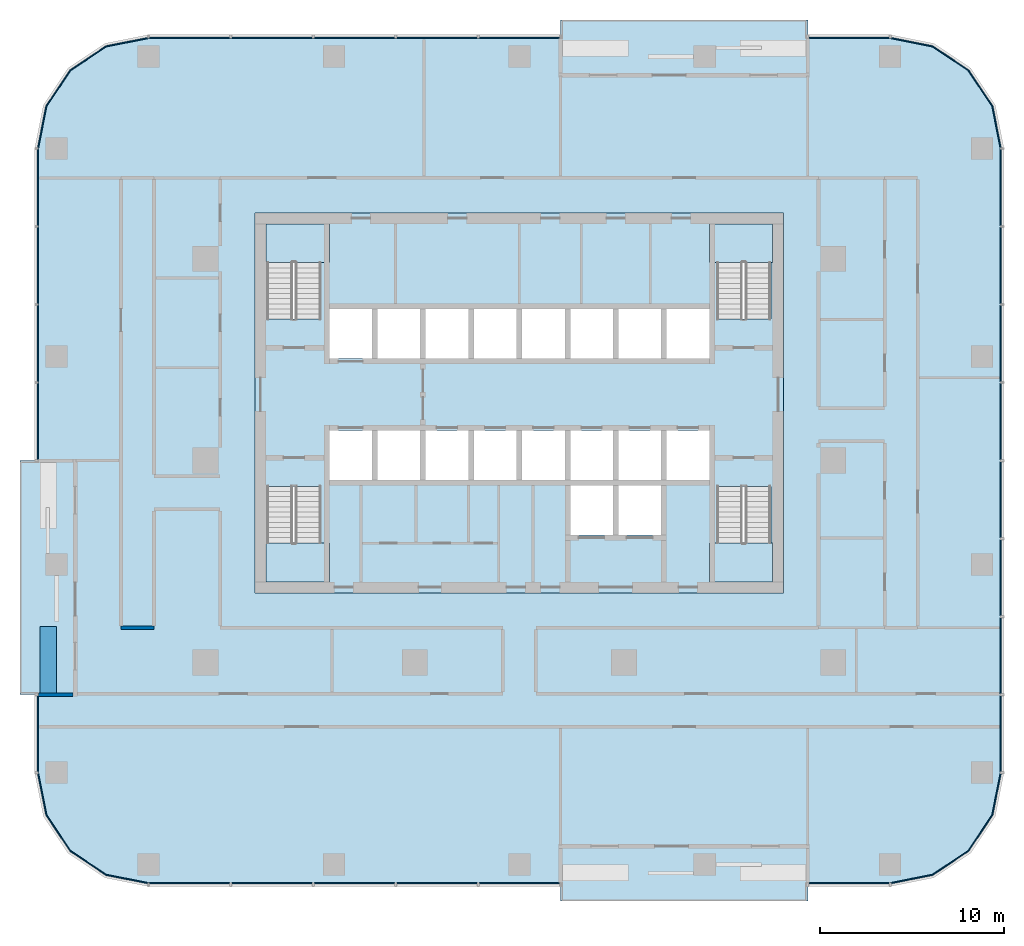
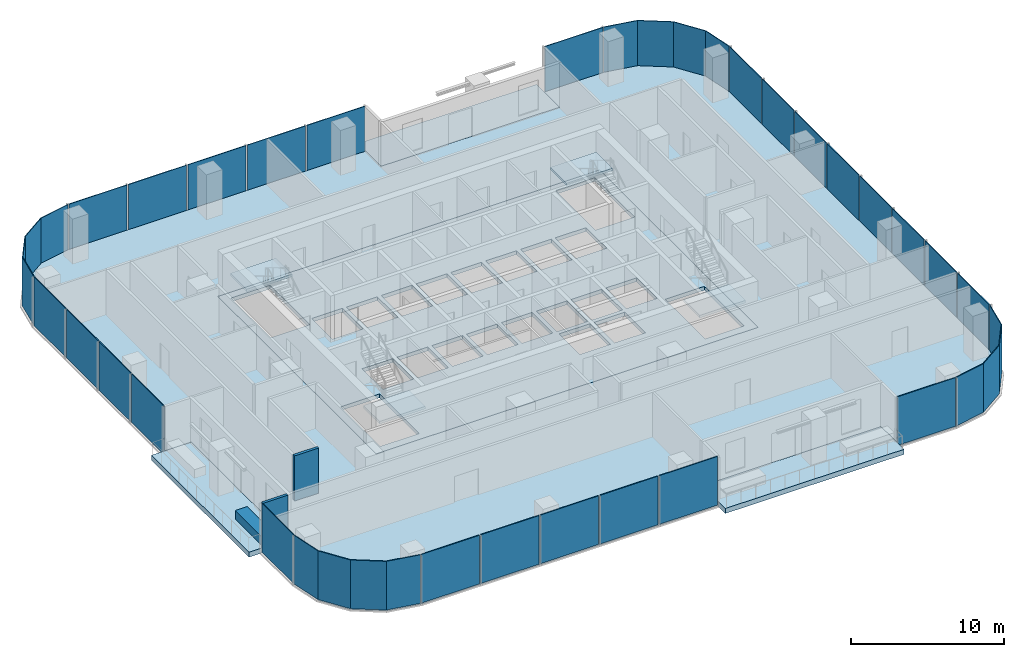
# One storey, part 6 of 14: 29 plates, 9 slabs, 3 walls, 15 elements without a shape of their own.
"""IFC4 building model written with IfcOpenShell, lengths in metres."""

from ifc_helpers import new_model, si_unit, direction, frame, frame_2d, origin, origin_2d, place, context, subcontext, project, spatial, polyline, rectangle, outline, extrude, material, layer, layer_set, type_object, element, aggregate, save


model = new_model("IFC4")

# Units and contexts
model_context = context("Model", 3, precision=1e-05, world=origin(), true_north=direction((0.0, 1.0)))
body_context = subcontext(model_context, "Body", "Model", "MODEL_VIEW")
ifc_project = project(units=[si_unit("LENGTHUNIT", "METRE"), si_unit("AREAUNIT", "SQUARE_METRE"), si_unit("VOLUMEUNIT", "CUBIC_METRE"), si_unit("PLANEANGLEUNIT", "RADIAN"), si_unit("MASSUNIT", "GRAM", prefix="KILO")], contexts=[model_context])

# Site, building, storey
site_placement = place(None, origin())
site = spatial("IfcSite", under=ifc_project, at=site_placement, CompositionType="ELEMENT")
building_placement = place(site_placement, origin())
building = spatial("IfcBuilding", under=site, at=building_placement, Name="Mopane Tessera Tower", CompositionType="ELEMENT")
storey_placement = place(building_placement, frame((0.0, 0.0, 185.0)))
storey = spatial("IfcBuildingStorey", under=building, at=storey_placement, Name="L38", CompositionType="ELEMENT", Elevation=185.0)

# Slab
ifc_material_1 = material(Name="Concrete C40/50", Category="concrete")
ifc_layer_1 = layer(ifc_material_1, 0.300048828125)
ifc_layer_set_1 = layer_set([ifc_layer_1], Name="Concrete C40/50")
slab_type_1 = type_object("IfcSlabType", Name="Core floor slab 300 mm", PredefinedType="FLOOR", material=ifc_layer_set_1)
slab_1_placement = place(storey_placement, frame((0.0, 0.0, -0.300048828125)))
element("IfcSlab", 1, at=slab_1_placement, inside=storey, type_object=slab_type_1, Name="L38 core floor slab", PredefinedType="FLOOR", context=body_context, shape_type="SweptSolid", body=[
    extrude(outline(polyline([(-14.39990234375, -7.199951171875), (14.39990234375, -7.199951171875), (14.39990234375, 13.5), (-14.39990234375, 13.5), (-14.39990234375, -7.199951171875)]), holes=[polyline([(-10.35009765625, -1.050048828125), (-8.02490234375, -1.050048828125), (-8.02490234375, 1.64990234375), (-10.35009765625, 1.64990234375), (-10.35009765625, -1.050048828125)]), polyline([(-7.72509765625, -1.050048828125), (-5.39990234375, -1.050048828125), (-5.39990234375, 1.64990234375), (-7.72509765625, 1.64990234375), (-7.72509765625, -1.050048828125)]), polyline([(-5.10009765625, -1.050048828125), (-2.77490234375, -1.050048828125), (-2.77490234375, 1.64990234375), (-5.10009765625, 1.64990234375), (-5.10009765625, -1.050048828125)]), polyline([(-2.47509765625, -1.050048828125), (-0.14990234375, -1.050048828125), (-0.14990234375, 1.64990234375), (-2.47509765625, 1.64990234375), (-2.47509765625, -1.050048828125)]), polyline([(0.14990234375, -1.050048828125), (2.47509765625, -1.050048828125), (2.47509765625, 1.64990234375), (0.14990234375, 1.64990234375), (0.14990234375, -1.050048828125)]), polyline([(2.77490234375, -1.050048828125), (5.10009765625, -1.050048828125), (5.10009765625, 1.64990234375), (2.77490234375, 1.64990234375), (2.77490234375, -1.050048828125)]), polyline([(5.39990234375, -1.050048828125), (7.72509765625, -1.050048828125), (7.72509765625, 1.64990234375), (5.39990234375, 1.64990234375), (5.39990234375, -1.050048828125)]), polyline([(8.02490234375, -1.050048828125), (10.35009765625, -1.050048828125), (10.35009765625, 1.64990234375), (8.02490234375, 1.64990234375), (8.02490234375, -1.050048828125)]), polyline([(-10.35009765625, 5.550048828125), (-8.02490234375, 5.550048828125), (-8.02490234375, 8.25), (-10.35009765625, 8.25), (-10.35009765625, 5.550048828125)]), polyline([(-7.72509765625, 5.550048828125), (-5.39990234375, 5.550048828125), (-5.39990234375, 8.25), (-7.72509765625, 8.25), (-7.72509765625, 5.550048828125)]), polyline([(-5.10009765625, 5.550048828125), (-2.77490234375, 5.550048828125), (-2.77490234375, 8.25), (-5.10009765625, 8.25), (-5.10009765625, 5.550048828125)]), polyline([(-2.47509765625, 5.550048828125), (-0.14990234375, 5.550048828125), (-0.14990234375, 8.25), (-2.47509765625, 8.25), (-2.47509765625, 5.550048828125)]), polyline([(0.14990234375, 5.550048828125), (2.47509765625, 5.550048828125), (2.47509765625, 8.25), (0.14990234375, 8.25), (0.14990234375, 5.550048828125)]), polyline([(2.77490234375, 5.550048828125), (5.10009765625, 5.550048828125), (5.10009765625, 8.25), (2.77490234375, 8.25), (2.77490234375, 5.550048828125)]), polyline([(5.39990234375, 5.550048828125), (7.72509765625, 5.550048828125), (7.72509765625, 8.25), (5.39990234375, 8.25), (5.39990234375, 5.550048828125)]), polyline([(8.02490234375, 5.550048828125), (10.35009765625, 5.550048828125), (10.35009765625, 8.25), (8.02490234375, 8.25), (8.02490234375, 5.550048828125)]), polyline([(2.77490234375, -4.050048828125), (5.10009765625, -4.050048828125), (5.10009765625, -1.35009765625), (2.77490234375, -1.35009765625), (2.77490234375, -4.050048828125)]), polyline([(5.39990234375, -4.050048828125), (7.72509765625, -4.050048828125), (7.72509765625, -1.35009765625), (5.39990234375, -1.35009765625), (5.39990234375, -4.050048828125)]), polyline([(-13.75, -1.405029296875), (-13.75, -6.60009765625), (-10.800048828125, -6.60009765625), (-10.800048828125, -1.405029296875), (-13.75, -1.405029296875)]), polyline([(-10.800048828125, 7.705078125), (-10.800048828125, 12.89990234375), (-13.75, 12.89990234375), (-13.75, 7.705078125), (-10.800048828125, 7.705078125)]), polyline([(10.75, -1.405029296875), (10.75, -6.60009765625), (13.699951171875, -6.60009765625), (13.699951171875, -1.405029296875), (10.75, -1.405029296875)]), polyline([(13.699951171875, 7.705078125), (13.699951171875, 12.89990234375), (10.75, 12.89990234375), (10.75, 7.705078125), (13.699951171875, 7.705078125)])]), origin(), (0.0, 0.0, 1.0), 0.300048828125),
])

# Stair, slab
ifc_material_2 = material(Name="Concrete C50/60", Category="concrete")
stair_type = type_object("IfcStairType", Name="Escape stair 1400 mm, riser 167 mm", PredefinedType="HALF_TURN_STAIR", material=ifc_material_2)
stair_1_placement = place(storey_placement, origin())
stair_1 = element("IfcStair", 2, at=stair_1_placement, inside=storey, type_object=stair_type, Name="L38 Escape stair south-west", PredefinedType="HALF_TURN_STAIR")
ifc_material_3 = material(Name="Concrete C50/60", Category="concrete")
ifc_layer_2 = layer(ifc_material_3, 0.199951171875)
ifc_layer_set_2 = layer_set([ifc_layer_2], Name="Concrete C50/60")
slab_type_2 = type_object("IfcSlabType", Name="Escape stair landing 200 mm", PredefinedType="LANDING", material=ifc_layer_set_2)
slab_2_placement = place(storey_placement, frame((0.0, 0.0, 1.800048828125)))
slab_2 = element("IfcSlab", 3, at=slab_2_placement, type_object=slab_type_2, Name="ST1 landing 1", PredefinedType="LANDING", context=body_context, shape_type="SweptSolid", body=[
    extrude(outline(polyline([(-13.800048828125, -4.47998046875), (-13.800048828125, -6.60009765625), (-10.35009765625, -6.60009765625), (-10.35009765625, -4.47998046875), (-13.800048828125, -4.47998046875)])), origin(), (0.0, 0.0, 1.0), 0.199951171875),
])
aggregate(stair_1, [slab_2])

stair_2_placement = place(storey_placement, origin())
stair_2 = element("IfcStair", 4, at=stair_2_placement, inside=storey, type_object=stair_type, Name="L38 Escape stair north-west", PredefinedType="HALF_TURN_STAIR")
slab_3_placement = place(storey_placement, frame((0.0, 0.0, 1.800048828125)))
slab_3 = element("IfcSlab", 5, at=slab_3_placement, type_object=slab_type_2, Name="ST2 landing 1", PredefinedType="LANDING", context=body_context, shape_type="SweptSolid", body=[
    extrude(outline(polyline([(-10.35009765625, 10.780029296875), (-10.35009765625, 12.89990234375), (-13.800048828125, 12.89990234375), (-13.800048828125, 10.780029296875), (-10.35009765625, 10.780029296875)])), origin(), (0.0, 0.0, 1.0), 0.199951171875),
])
aggregate(stair_2, [slab_3])

stair_3_placement = place(storey_placement, origin())
stair_3 = element("IfcStair", 6, at=stair_3_placement, inside=storey, type_object=stair_type, Name="L38 Escape stair south-east", PredefinedType="HALF_TURN_STAIR")
slab_4_placement = place(storey_placement, frame((0.0, 0.0, 1.800048828125)))
slab_4 = element("IfcSlab", 7, at=slab_4_placement, type_object=slab_type_2, Name="ST3 landing 1", PredefinedType="LANDING", context=body_context, shape_type="SweptSolid", body=[
    extrude(outline(polyline([(10.35009765625, -4.47998046875), (10.35009765625, -6.60009765625), (13.800048828125, -6.60009765625), (13.800048828125, -4.47998046875), (10.35009765625, -4.47998046875)])), origin(), (0.0, 0.0, 1.0), 0.199951171875),
])
aggregate(stair_3, [slab_4])

stair_4_placement = place(storey_placement, origin())
stair_4 = element("IfcStair", 8, at=stair_4_placement, inside=storey, type_object=stair_type, Name="L38 Escape stair north-east", PredefinedType="HALF_TURN_STAIR")
slab_5_placement = place(storey_placement, frame((0.0, 0.0, 1.800048828125)))
slab_5 = element("IfcSlab", 9, at=slab_5_placement, type_object=slab_type_2, Name="ST4 landing 1", PredefinedType="LANDING", context=body_context, shape_type="SweptSolid", body=[
    extrude(outline(polyline([(13.800048828125, 10.780029296875), (13.800048828125, 12.89990234375), (10.35009765625, 12.89990234375), (10.35009765625, 10.780029296875), (13.800048828125, 10.780029296875)])), origin(), (0.0, 0.0, 1.0), 0.199951171875),
])
aggregate(stair_4, [slab_5])

# Slabs
ifc_material_4 = material(Name="Concrete C40/50", Category="concrete")
ifc_layer_3 = layer(ifc_material_4, 0.39990234375)
ifc_layer_set_3 = layer_set([ifc_layer_3], Name="Concrete C40/50")
slab_type_3 = type_object("IfcSlabType", Name="Planted terrace slab 400 mm", PredefinedType="FLOOR", material=ifc_layer_set_3)
slab_6_placement = place(storey_placement, frame((0.0, 0.0, -0.39990234375)))
element("IfcSlab", 10, at=slab_6_placement, inside=storey, type_object=slab_type_3, Name="Terrace slab N1 L38", PredefinedType="FLOOR", context=body_context, shape_type="SweptSolid", body=[
    extrude(outline(polyline([(-27.199951171875, -12.75), (-24.199951171875, -12.75), (-24.199951171875, 0.0), (-27.199951171875, 0.0), (-27.199951171875, -12.75)])), origin(), (0.0, 0.0, 1.0), 0.39990234375),
])
slab_7_placement = place(storey_placement, frame((0.0, 0.0, -0.39990234375)))
element("IfcSlab", 11, at=slab_7_placement, inside=storey, type_object=slab_type_3, Name="Terrace slab N2 L38", PredefinedType="FLOOR", context=body_context, shape_type="SweptSolid", body=[
    extrude(outline(polyline([(15.711181640625, -24.0), (15.711181640625, -21.0), (2.244384765625, -21.0), (2.244384765625, -24.0), (15.711181640625, -24.0)])), origin(), (0.0, 0.0, 1.0), 0.39990234375),
])
slab_8_placement = place(storey_placement, frame((0.0, 0.0, -0.39990234375)))
element("IfcSlab", 12, at=slab_8_placement, inside=storey, type_object=slab_type_3, Name="Terrace slab N3 L38", PredefinedType="FLOOR", context=body_context, shape_type="SweptSolid", body=[
    extrude(outline(polyline([(2.244384765625, 24.0), (2.244384765625, 21.0), (15.711181640625, 21.0), (15.711181640625, 24.0), (2.244384765625, 24.0)])), origin(), (0.0, 0.0, 1.0), 0.39990234375),
])
ifc_material_5 = material(Name="Concrete C40/50", Category="concrete")
ifc_layer_4 = layer(ifc_material_5, 0.39990234375)
ifc_layer_set_4 = layer_set([ifc_layer_4], Name="Concrete C40/50")
slab_type_4 = type_object("IfcSlabType", Name="Post-tensioned flat plate 400 mm", PredefinedType="FLOOR", material=ifc_layer_set_4)
slab_9_placement = place(storey_placement, frame((0.0, 0.0, -0.39990234375)))
element("IfcSlab", 13, at=slab_9_placement, inside=storey, type_object=slab_type_4, Name="Floor slab L38", PredefinedType="FLOOR", context=body_context, shape_type="SweptSolid", body=[
    extrude(outline(polyline([(-20.199951171875, -23.0), (2.244384765625, -23.0), (2.244384765625, -21.0), (15.711181640625, -21.0), (15.711181640625, -23.0), (20.199951171875, -23.0), (22.49609375, -22.543212890625), (24.442626953125, -21.24267578125), (25.7431640625, -19.296142578125), (26.199951171875, -17.0), (26.199951171875, 17.0), (25.7431640625, 19.296142578125), (24.442626953125, 21.24267578125), (22.49609375, 22.543212890625), (20.199951171875, 23.0), (15.711181640625, 23.0), (15.711181640625, 21.0), (2.244384765625, 21.0), (2.244384765625, 23.0), (-20.199951171875, 23.0), (-22.49609375, 22.543212890625), (-24.442626953125, 21.24267578125), (-25.7431640625, 19.296142578125), (-26.199951171875, 17.0), (-26.199951171875, 0.0), (-24.199951171875, 0.0), (-24.199951171875, -12.75), (-26.199951171875, -12.75), (-26.199951171875, -17.0), (-25.7431640625, -19.296142578125), (-24.442626953125, -21.24267578125), (-22.49609375, -22.543212890625), (-20.199951171875, -23.0)]), holes=[polyline([(14.39990234375, -7.199951171875), (-14.39990234375, -7.199951171875), (-14.39990234375, 13.5), (14.39990234375, 13.5), (14.39990234375, -7.199951171875)])]), origin(), (0.0, 0.0, 1.0), 0.39990234375),
])

# Curtain wall, plates
ifc_material_6 = material(Name="Aluminium frame", Category="aluminium")
curtain_wall_type = type_object("IfcCurtainWallType", Name="Unitised curtain wall", PredefinedType="NOTDEFINED", material=ifc_material_6)
curtain_wall_1_placement = place(storey_placement, origin())
curtain_wall_1 = element("IfcCurtainWall", 14, at=curtain_wall_1_placement, inside=storey, type_object=curtain_wall_type, Name="e:cw:L38:S:0", PredefinedType="NOTDEFINED")
ifc_material_7 = material(Name="Clear laminated glass", Category="glass")
ifc_layer_5 = layer(ifc_material_7, 0.06005859375)
ifc_layer_set_5 = layer_set([ifc_layer_5], Name="Clear laminated glass")
plate_type = type_object("IfcPlateType", Name="Unitised glazed unit", PredefinedType="CURTAIN_PANEL", material=ifc_layer_set_5)
plate_1_placement = place(storey_placement, frame((-17.95556640625, -23.030029296875, -0.280029296875), z_axis=(0.0, 0.0, 1.0), x_axis=(1.0, 0.0, 0.0)))
plate_1 = element("IfcPlate", 15, at=plate_1_placement, type_object=plate_type, Name="e:cw:L38:S:0:pn0", PredefinedType="CURTAIN_PANEL", context=body_context, shape_type="SweptSolid", body=[
    extrude(rectangle(XDim=4.388916015625, YDim=0.06005859375, at=origin_2d()), origin(), (0.0, 0.0, 1.0), 3.8798828125),
])
plate_2_placement = place(storey_placement, frame((-13.466552734375, -23.030029296875, -0.280029296875), z_axis=(0.0, 0.0, 1.0), x_axis=(1.0, 0.0, 0.0)))
plate_2 = element("IfcPlate", 16, at=plate_2_placement, type_object=plate_type, Name="e:cw:L38:S:0:pn1", PredefinedType="CURTAIN_PANEL", context=body_context, shape_type="SweptSolid", body=[
    extrude(rectangle(XDim=4.388916015625, YDim=0.06005859375, at=origin_2d()), origin(), (0.0, 0.0, 1.0), 3.8798828125),
])
plate_3_placement = place(storey_placement, frame((-8.977783203125, -23.030029296875, -0.280029296875), z_axis=(0.0, 0.0, 1.0), x_axis=(1.0, 0.0, 0.0)))
plate_3 = element("IfcPlate", 17, at=plate_3_placement, type_object=plate_type, Name="e:cw:L38:S:0:pn2", PredefinedType="CURTAIN_PANEL", context=body_context, shape_type="SweptSolid", body=[
    extrude(rectangle(XDim=4.388916015625, YDim=0.06005859375, at=origin_2d()), origin(), (0.0, 0.0, 1.0), 3.8798828125),
])
plate_4_placement = place(storey_placement, frame((-4.48876953125, -23.030029296875, -0.280029296875), z_axis=(0.0, 0.0, 1.0), x_axis=(1.0, 0.0, 0.0)))
plate_4 = element("IfcPlate", 18, at=plate_4_placement, type_object=plate_type, Name="e:cw:L38:S:0:pn3", PredefinedType="CURTAIN_PANEL", context=body_context, shape_type="SweptSolid", body=[
    extrude(rectangle(XDim=4.388916015625, YDim=0.06005859375, at=origin_2d()), origin(), (0.0, 0.0, 1.0), 3.8798828125),
])
plate_5_placement = place(storey_placement, frame((0.0, -23.030029296875, -0.280029296875), z_axis=(0.0, 0.0, 1.0), x_axis=(1.0, 0.0, 0.0)))
plate_5 = element("IfcPlate", 19, at=plate_5_placement, type_object=plate_type, Name="e:cw:L38:S:0:pn4", PredefinedType="CURTAIN_PANEL", context=body_context, shape_type="SweptSolid", body=[
    extrude(rectangle(XDim=4.388916015625, YDim=0.06005859375, at=origin_2d()), origin(), (0.0, 0.0, 1.0), 3.8798828125),
])
aggregate(curtain_wall_1, [plate_1, plate_2, plate_3, plate_4, plate_5])

# Curtain wall, plate
curtain_wall_2_placement = place(storey_placement, origin())
curtain_wall_2 = element("IfcCurtainWall", 20, at=curtain_wall_2_placement, inside=storey, type_object=curtain_wall_type, Name="e:cw:L38:S:8", PredefinedType="NOTDEFINED")
plate_6_placement = place(storey_placement, frame((17.95556640625, -23.030029296875, -0.280029296875), z_axis=(0.0, 0.0, 1.0), x_axis=(1.0, 0.0, 0.0)))
plate_6 = element("IfcPlate", 21, at=plate_6_placement, type_object=plate_type, Name="e:cw:L38:S:8:pn8", PredefinedType="CURTAIN_PANEL", context=body_context, shape_type="SweptSolid", body=[
    extrude(rectangle(XDim=4.388916015625, YDim=0.06005859375, at=origin_2d()), origin(), (0.0, 0.0, 1.0), 3.8798828125),
])
aggregate(curtain_wall_2, [plate_6])

curtain_wall_3_placement = place(storey_placement, origin())
curtain_wall_3 = element("IfcCurtainWall", 22, at=curtain_wall_3_placement, inside=storey, type_object=curtain_wall_type, Name="e:cw:L38:CS", PredefinedType="NOTDEFINED")
plate_7_placement = place(storey_placement, frame((0.0, 0.0, -0.280029296875)))
plate_7 = element("IfcPlate", 23, at=plate_7_placement, type_object=plate_type, Name="e:cw:L38:CS:pn", PredefinedType="CURTAIN_PANEL", context=body_context, shape_type="SweptSolid", body=[
    extrude(outline(polyline([(20.199951171875, -23.0), (22.49609375, -22.543212890625), (24.442626953125, -21.24267578125), (25.7431640625, -19.296142578125), (26.199951171875, -17.0), (26.260009765625, -17.0), (25.798828125, -19.319091796875), (24.485107421875, -21.28515625), (22.51904296875, -22.5986328125), (20.199951171875, -23.06005859375), (20.199951171875, -23.0)])), origin(), (0.0, 0.0, 1.0), 3.880126953125),
])
aggregate(curtain_wall_3, [plate_7])

# Curtain wall, plates
curtain_wall_4_placement = place(storey_placement, origin())
curtain_wall_4 = element("IfcCurtainWall", 24, at=curtain_wall_4_placement, inside=storey, type_object=curtain_wall_type, Name="e:cw:L38:E:0", PredefinedType="NOTDEFINED")
plate_8_placement = place(storey_placement, frame((26.22998046875, -14.875, -0.280029296875), z_axis=(0.0, 0.0, 1.0), x_axis=(0.0, 1.0, 0.0)))
plate_8 = element("IfcPlate", 25, at=plate_8_placement, type_object=plate_type, Name="e:cw:L38:E:0:pn0", PredefinedType="CURTAIN_PANEL", context=body_context, shape_type="SweptSolid", body=[
    extrude(rectangle(XDim=4.14990234375, YDim=0.06005859375, at=origin_2d()), origin(), (0.0, 0.0, 1.0), 3.8798828125),
])
plate_9_placement = place(storey_placement, frame((26.22998046875, -10.625, -0.280029296875), z_axis=(0.0, 0.0, 1.0), x_axis=(0.0, 1.0, 0.0)))
plate_9 = element("IfcPlate", 26, at=plate_9_placement, type_object=plate_type, Name="e:cw:L38:E:0:pn1", PredefinedType="CURTAIN_PANEL", context=body_context, shape_type="SweptSolid", body=[
    extrude(rectangle(XDim=4.14990234375, YDim=0.06005859375, at=origin_2d()), origin(), (0.0, 0.0, 1.0), 3.8798828125),
])
plate_10_placement = place(storey_placement, frame((26.22998046875, -6.375, -0.280029296875), z_axis=(0.0, 0.0, 1.0), x_axis=(0.0, 1.0, 0.0)))
plate_10 = element("IfcPlate", 27, at=plate_10_placement, type_object=plate_type, Name="e:cw:L38:E:0:pn2", PredefinedType="CURTAIN_PANEL", context=body_context, shape_type="SweptSolid", body=[
    extrude(rectangle(XDim=4.14990234375, YDim=0.06005859375, at=origin_2d()), origin(), (0.0, 0.0, 1.0), 3.8798828125),
])
plate_11_placement = place(storey_placement, frame((26.22998046875, -2.125, -0.280029296875), z_axis=(0.0, 0.0, 1.0), x_axis=(0.0, 1.0, 0.0)))
plate_11 = element("IfcPlate", 28, at=plate_11_placement, type_object=plate_type, Name="e:cw:L38:E:0:pn3", PredefinedType="CURTAIN_PANEL", context=body_context, shape_type="SweptSolid", body=[
    extrude(rectangle(XDim=4.14990234375, YDim=0.06005859375, at=origin_2d()), origin(), (0.0, 0.0, 1.0), 3.8798828125),
])
plate_12_placement = place(storey_placement, frame((26.22998046875, 2.125, -0.280029296875), z_axis=(0.0, 0.0, 1.0), x_axis=(0.0, 1.0, 0.0)))
plate_12 = element("IfcPlate", 29, at=plate_12_placement, type_object=plate_type, Name="e:cw:L38:E:0:pn4", PredefinedType="CURTAIN_PANEL", context=body_context, shape_type="SweptSolid", body=[
    extrude(rectangle(XDim=4.14990234375, YDim=0.06005859375, at=origin_2d()), origin(), (0.0, 0.0, 1.0), 3.8798828125),
])
plate_13_placement = place(storey_placement, frame((26.22998046875, 6.375, -0.280029296875), z_axis=(0.0, 0.0, 1.0), x_axis=(0.0, 1.0, 0.0)))
plate_13 = element("IfcPlate", 30, at=plate_13_placement, type_object=plate_type, Name="e:cw:L38:E:0:pn5", PredefinedType="CURTAIN_PANEL", context=body_context, shape_type="SweptSolid", body=[
    extrude(rectangle(XDim=4.14990234375, YDim=0.06005859375, at=origin_2d()), origin(), (0.0, 0.0, 1.0), 3.8798828125),
])
plate_14_placement = place(storey_placement, frame((26.22998046875, 10.625, -0.280029296875), z_axis=(0.0, 0.0, 1.0), x_axis=(0.0, 1.0, 0.0)))
plate_14 = element("IfcPlate", 31, at=plate_14_placement, type_object=plate_type, Name="e:cw:L38:E:0:pn6", PredefinedType="CURTAIN_PANEL", context=body_context, shape_type="SweptSolid", body=[
    extrude(rectangle(XDim=4.14990234375, YDim=0.06005859375, at=origin_2d()), origin(), (0.0, 0.0, 1.0), 3.8798828125),
])
plate_15_placement = place(storey_placement, frame((26.22998046875, 14.875, -0.280029296875), z_axis=(0.0, 0.0, 1.0), x_axis=(0.0, 1.0, 0.0)))
plate_15 = element("IfcPlate", 32, at=plate_15_placement, type_object=plate_type, Name="e:cw:L38:E:0:pn7", PredefinedType="CURTAIN_PANEL", context=body_context, shape_type="SweptSolid", body=[
    extrude(rectangle(XDim=4.14990234375, YDim=0.06005859375, at=origin_2d()), origin(), (0.0, 0.0, 1.0), 3.8798828125),
])
aggregate(curtain_wall_4, [plate_8, plate_9, plate_10, plate_11, plate_12, plate_13, plate_14, plate_15])

# Curtain wall, plate
curtain_wall_5_placement = place(storey_placement, origin())
curtain_wall_5 = element("IfcCurtainWall", 33, at=curtain_wall_5_placement, inside=storey, type_object=curtain_wall_type, Name="e:cw:L38:CE", PredefinedType="NOTDEFINED")
plate_16_placement = place(storey_placement, frame((0.0, 0.0, -0.280029296875)))
plate_16 = element("IfcPlate", 34, at=plate_16_placement, type_object=plate_type, Name="e:cw:L38:CE:pn", PredefinedType="CURTAIN_PANEL", context=body_context, shape_type="SweptSolid", body=[
    extrude(outline(polyline([(26.199951171875, 17.0), (25.7431640625, 19.296142578125), (24.442626953125, 21.24267578125), (22.49609375, 22.543212890625), (20.199951171875, 23.0), (20.199951171875, 23.06005859375), (22.51904296875, 22.5986328125), (24.485107421875, 21.28515625), (25.798828125, 19.319091796875), (26.260009765625, 17.0), (26.199951171875, 17.0)])), origin(), (0.0, 0.0, 1.0), 3.880126953125),
])
aggregate(curtain_wall_5, [plate_16])

curtain_wall_6_placement = place(storey_placement, origin())
curtain_wall_6 = element("IfcCurtainWall", 35, at=curtain_wall_6_placement, inside=storey, type_object=curtain_wall_type, Name="e:cw:L38:N:0", PredefinedType="NOTDEFINED")
plate_17_placement = place(storey_placement, frame((17.95556640625, 23.030029296875, -0.280029296875), z_axis=(0.0, 0.0, 1.0), x_axis=(-1.0, 0.0, 0.0)))
plate_17 = element("IfcPlate", 36, at=plate_17_placement, type_object=plate_type, Name="e:cw:L38:N:0:pn0", PredefinedType="CURTAIN_PANEL", context=body_context, shape_type="SweptSolid", body=[
    extrude(rectangle(XDim=4.388916015625, YDim=0.06005859375, at=origin_2d()), origin(), (0.0, 0.0, 1.0), 3.8798828125),
])
aggregate(curtain_wall_6, [plate_17])

# Curtain wall, plates
curtain_wall_7_placement = place(storey_placement, origin())
curtain_wall_7 = element("IfcCurtainWall", 37, at=curtain_wall_7_placement, inside=storey, type_object=curtain_wall_type, Name="e:cw:L38:N:4", PredefinedType="NOTDEFINED")
plate_18_placement = place(storey_placement, frame((0.0, 23.030029296875, -0.280029296875), z_axis=(0.0, 0.0, 1.0), x_axis=(-1.0, 0.0, 0.0)))
plate_18 = element("IfcPlate", 38, at=plate_18_placement, type_object=plate_type, Name="e:cw:L38:N:4:pn4", PredefinedType="CURTAIN_PANEL", context=body_context, shape_type="SweptSolid", body=[
    extrude(rectangle(XDim=4.388916015625, YDim=0.06005859375, at=origin_2d()), origin(), (0.0, 0.0, 1.0), 3.8798828125),
])
plate_19_placement = place(storey_placement, frame((-4.48876953125, 23.030029296875, -0.280029296875), z_axis=(0.0, 0.0, 1.0), x_axis=(-1.0, 0.0, 0.0)))
plate_19 = element("IfcPlate", 39, at=plate_19_placement, type_object=plate_type, Name="e:cw:L38:N:4:pn5", PredefinedType="CURTAIN_PANEL", context=body_context, shape_type="SweptSolid", body=[
    extrude(rectangle(XDim=4.388916015625, YDim=0.06005859375, at=origin_2d()), origin(), (0.0, 0.0, 1.0), 3.8798828125),
])
plate_20_placement = place(storey_placement, frame((-8.977783203125, 23.030029296875, -0.280029296875), z_axis=(0.0, 0.0, 1.0), x_axis=(-1.0, 0.0, 0.0)))
plate_20 = element("IfcPlate", 40, at=plate_20_placement, type_object=plate_type, Name="e:cw:L38:N:4:pn6", PredefinedType="CURTAIN_PANEL", context=body_context, shape_type="SweptSolid", body=[
    extrude(rectangle(XDim=4.388916015625, YDim=0.06005859375, at=origin_2d()), origin(), (0.0, 0.0, 1.0), 3.8798828125),
])
plate_21_placement = place(storey_placement, frame((-13.466552734375, 23.030029296875, -0.280029296875), z_axis=(0.0, 0.0, 1.0), x_axis=(-1.0, 0.0, 0.0)))
plate_21 = element("IfcPlate", 41, at=plate_21_placement, type_object=plate_type, Name="e:cw:L38:N:4:pn7", PredefinedType="CURTAIN_PANEL", context=body_context, shape_type="SweptSolid", body=[
    extrude(rectangle(XDim=4.388916015625, YDim=0.06005859375, at=origin_2d()), origin(), (0.0, 0.0, 1.0), 3.8798828125),
])
plate_22_placement = place(storey_placement, frame((-17.95556640625, 23.030029296875, -0.280029296875), z_axis=(0.0, 0.0, 1.0), x_axis=(-1.0, 0.0, 0.0)))
plate_22 = element("IfcPlate", 42, at=plate_22_placement, type_object=plate_type, Name="e:cw:L38:N:4:pn8", PredefinedType="CURTAIN_PANEL", context=body_context, shape_type="SweptSolid", body=[
    extrude(rectangle(XDim=4.388916015625, YDim=0.06005859375, at=origin_2d()), origin(), (0.0, 0.0, 1.0), 3.8798828125),
])
aggregate(curtain_wall_7, [plate_18, plate_19, plate_20, plate_21, plate_22])

# Curtain wall, plate
curtain_wall_8_placement = place(storey_placement, origin())
curtain_wall_8 = element("IfcCurtainWall", 43, at=curtain_wall_8_placement, inside=storey, type_object=curtain_wall_type, Name="e:cw:L38:CN", PredefinedType="NOTDEFINED")
plate_23_placement = place(storey_placement, frame((0.0, 0.0, -0.280029296875)))
plate_23 = element("IfcPlate", 44, at=plate_23_placement, type_object=plate_type, Name="e:cw:L38:CN:pn", PredefinedType="CURTAIN_PANEL", context=body_context, shape_type="SweptSolid", body=[
    extrude(outline(polyline([(-20.199951171875, 23.0), (-22.49609375, 22.543212890625), (-24.442626953125, 21.24267578125), (-25.7431640625, 19.296142578125), (-26.199951171875, 17.0), (-26.260009765625, 17.0), (-25.798828125, 19.319091796875), (-24.485107421875, 21.28515625), (-22.51904296875, 22.5986328125), (-20.199951171875, 23.06005859375), (-20.199951171875, 23.0)])), origin(), (0.0, 0.0, 1.0), 3.880126953125),
])
aggregate(curtain_wall_8, [plate_23])

# Curtain wall, plates
curtain_wall_9_placement = place(storey_placement, origin())
curtain_wall_9 = element("IfcCurtainWall", 45, at=curtain_wall_9_placement, inside=storey, type_object=curtain_wall_type, Name="e:cw:L38:W:0", PredefinedType="NOTDEFINED")
plate_24_placement = place(storey_placement, frame((-26.22998046875, 14.875, -0.280029296875), z_axis=(0.0, 0.0, 1.0), x_axis=(0.0, -1.0, 0.0)))
plate_24 = element("IfcPlate", 46, at=plate_24_placement, type_object=plate_type, Name="e:cw:L38:W:0:pn0", PredefinedType="CURTAIN_PANEL", context=body_context, shape_type="SweptSolid", body=[
    extrude(rectangle(XDim=4.14990234375, YDim=0.06005859375, at=origin_2d()), origin(), (0.0, 0.0, 1.0), 3.8798828125),
])
plate_25_placement = place(storey_placement, frame((-26.22998046875, 10.625, -0.280029296875), z_axis=(0.0, 0.0, 1.0), x_axis=(0.0, -1.0, 0.0)))
plate_25 = element("IfcPlate", 47, at=plate_25_placement, type_object=plate_type, Name="e:cw:L38:W:0:pn1", PredefinedType="CURTAIN_PANEL", context=body_context, shape_type="SweptSolid", body=[
    extrude(rectangle(XDim=4.14990234375, YDim=0.06005859375, at=origin_2d()), origin(), (0.0, 0.0, 1.0), 3.8798828125),
])
plate_26_placement = place(storey_placement, frame((-26.22998046875, 6.375, -0.280029296875), z_axis=(0.0, 0.0, 1.0), x_axis=(0.0, -1.0, 0.0)))
plate_26 = element("IfcPlate", 48, at=plate_26_placement, type_object=plate_type, Name="e:cw:L38:W:0:pn2", PredefinedType="CURTAIN_PANEL", context=body_context, shape_type="SweptSolid", body=[
    extrude(rectangle(XDim=4.14990234375, YDim=0.06005859375, at=origin_2d()), origin(), (0.0, 0.0, 1.0), 3.8798828125),
])
plate_27_placement = place(storey_placement, frame((-26.22998046875, 2.125, -0.280029296875), z_axis=(0.0, 0.0, 1.0), x_axis=(0.0, -1.0, 0.0)))
plate_27 = element("IfcPlate", 49, at=plate_27_placement, type_object=plate_type, Name="e:cw:L38:W:0:pn3", PredefinedType="CURTAIN_PANEL", context=body_context, shape_type="SweptSolid", body=[
    extrude(rectangle(XDim=4.14990234375, YDim=0.06005859375, at=origin_2d()), origin(), (0.0, 0.0, 1.0), 3.8798828125),
])
aggregate(curtain_wall_9, [plate_24, plate_25, plate_26, plate_27])

# Curtain wall, plate
curtain_wall_10_placement = place(storey_placement, origin())
curtain_wall_10 = element("IfcCurtainWall", 50, at=curtain_wall_10_placement, inside=storey, type_object=curtain_wall_type, Name="e:cw:L38:W:7", PredefinedType="NOTDEFINED")
plate_28_placement = place(storey_placement, frame((-26.22998046875, -14.875, -0.280029296875), z_axis=(0.0, 0.0, 1.0), x_axis=(0.0, -1.0, 0.0)))
plate_28 = element("IfcPlate", 51, at=plate_28_placement, type_object=plate_type, Name="e:cw:L38:W:7:pn7", PredefinedType="CURTAIN_PANEL", context=body_context, shape_type="SweptSolid", body=[
    extrude(rectangle(XDim=4.14990234375, YDim=0.06005859375, at=origin_2d()), origin(), (0.0, 0.0, 1.0), 3.8798828125),
])
aggregate(curtain_wall_10, [plate_28])

curtain_wall_11_placement = place(storey_placement, origin())
curtain_wall_11 = element("IfcCurtainWall", 52, at=curtain_wall_11_placement, inside=storey, type_object=curtain_wall_type, Name="e:cw:L38:CW", PredefinedType="NOTDEFINED")
plate_29_placement = place(storey_placement, frame((0.0, 0.0, -0.280029296875)))
plate_29 = element("IfcPlate", 53, at=plate_29_placement, type_object=plate_type, Name="e:cw:L38:CW:pn", PredefinedType="CURTAIN_PANEL", context=body_context, shape_type="SweptSolid", body=[
    extrude(outline(polyline([(-26.199951171875, -17.0), (-25.7431640625, -19.296142578125), (-24.442626953125, -21.24267578125), (-22.49609375, -22.543212890625), (-20.199951171875, -23.0), (-20.199951171875, -23.06005859375), (-22.51904296875, -22.5986328125), (-24.485107421875, -21.28515625), (-25.798828125, -19.319091796875), (-26.260009765625, -17.0), (-26.199951171875, -17.0)])), origin(), (0.0, 0.0, 1.0), 3.880126953125),
])
aggregate(curtain_wall_11, [plate_29])

# Walls
ifc_material_8 = material(Name="Gypsum board on steel studs, two layers each face, mineral wool infill", Category="steel")
ifc_layer_6 = layer(ifc_material_8, 0.199951171875)
ifc_layer_set_6 = layer_set([ifc_layer_6], Name="Gypsum board on steel studs, two layers each face, mineral wool infill")
wall_type_1 = type_object("IfcWallType", Name="Gypsum board corridor wall 200, rated EI 60", PredefinedType="PARTITIONING", material=ifc_layer_set_6)
wall_1_placement = place(storey_placement, frame((-21.699951171875, -9.10009765625, 0.0), z_axis=(0.0, 0.0, 1.0), x_axis=(1.0, 0.0, 0.0)))
element("IfcWall", 54, at=wall_1_placement, inside=storey, type_object=wall_type_1, Name="Partition L38:005", PredefinedType="PARTITIONING", context=body_context, shape_type="SweptSolid", body=[
    extrude(rectangle(XDim=1.800048828125, YDim=0.199951171875, at=frame_2d((0.89990234375, 0.0))), origin(), (0.0, 0.0, 1.0), 3.60009765625),
])
ifc_material_9 = material(Name="Reinforced concrete C32/40 with waterproofing", Category="concrete")
ifc_layer_7 = layer(ifc_material_9, 0.89990234375)
ifc_layer_set_7 = layer_set([ifc_layer_7], Name="Reinforced concrete C32/40 with waterproofing")
wall_type_2 = type_object("IfcWallType", Name="Planter trough 3600 x 900", PredefinedType="STANDARD", material=ifc_layer_set_7)
wall_2_placement = place(storey_placement, frame((-25.64990234375, -9.050048828125, 0.0), z_axis=(0.0, 0.0, 1.0), x_axis=(0.0, -1.0, 0.0)))
element("IfcWall", 55, at=wall_2_placement, inside=storey, type_object=wall_type_2, Name="e:nw:L38:N1:pl1", PredefinedType="STANDARD", context=body_context, shape_type="SweptSolid", body=[
    extrude(rectangle(XDim=3.599853515625, YDim=0.89990234375, at=frame_2d((1.7998046875, 0.0))), origin(), (0.0, 0.0, 1.0), 0.699951171875),
])
ifc_material_10 = material(Name="Blockwork with glazed tile facing", Category="masonry")
ifc_layer_8 = layer(ifc_material_10, 0.199951171875)
ifc_layer_set_8 = layer_set([ifc_layer_8], Name="Blockwork with glazed tile facing")
wall_type_3 = type_object("IfcWallType", Name="Terrace cheek wall 200", PredefinedType="STANDARD", material=ifc_layer_set_8)
wall_3_placement = place(storey_placement, frame((-26.199951171875, -12.75, 0.0), z_axis=(0.0, 0.0, 1.0), x_axis=(1.0, 0.0, 0.0)))
element("IfcWall", 56, at=wall_3_placement, inside=storey, type_object=wall_type_3, Name="e:nw:L38:N1:cheekb", PredefinedType="STANDARD", context=body_context, shape_type="SweptSolid", body=[
    extrude(rectangle(XDim=1.875, YDim=0.199951171875, at=frame_2d((0.9375, 0.0))), origin(), (0.0, 0.0, 1.0), 3.60009765625),
])

save(model, "model.ifc")
